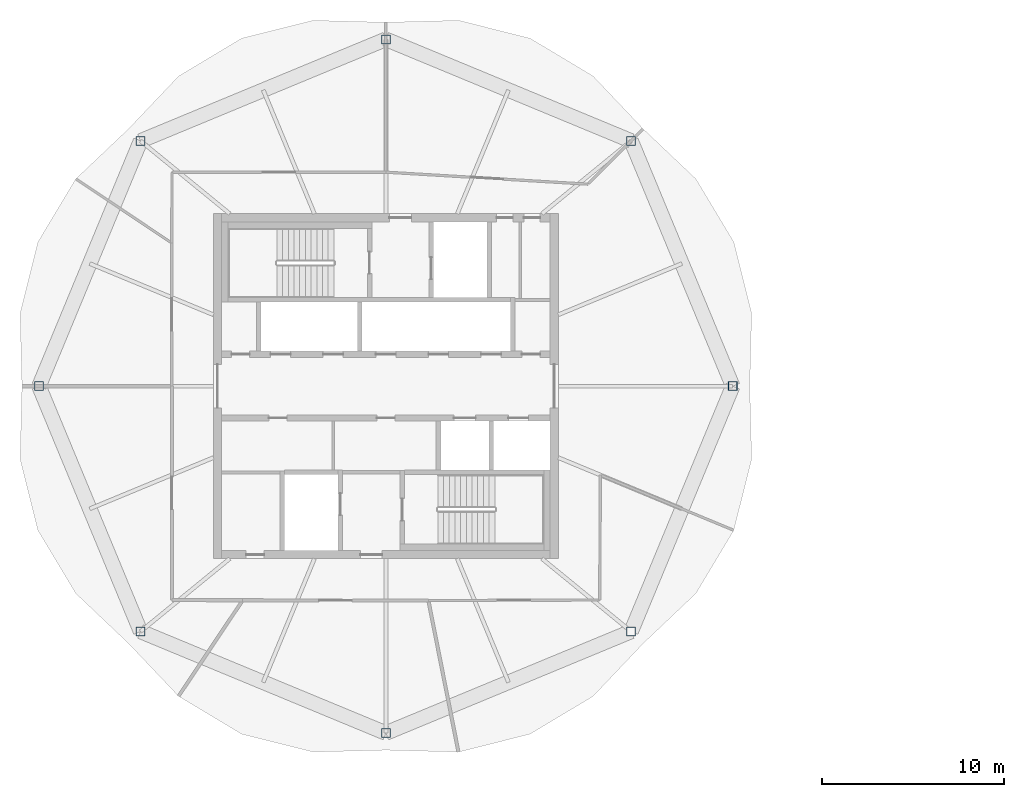
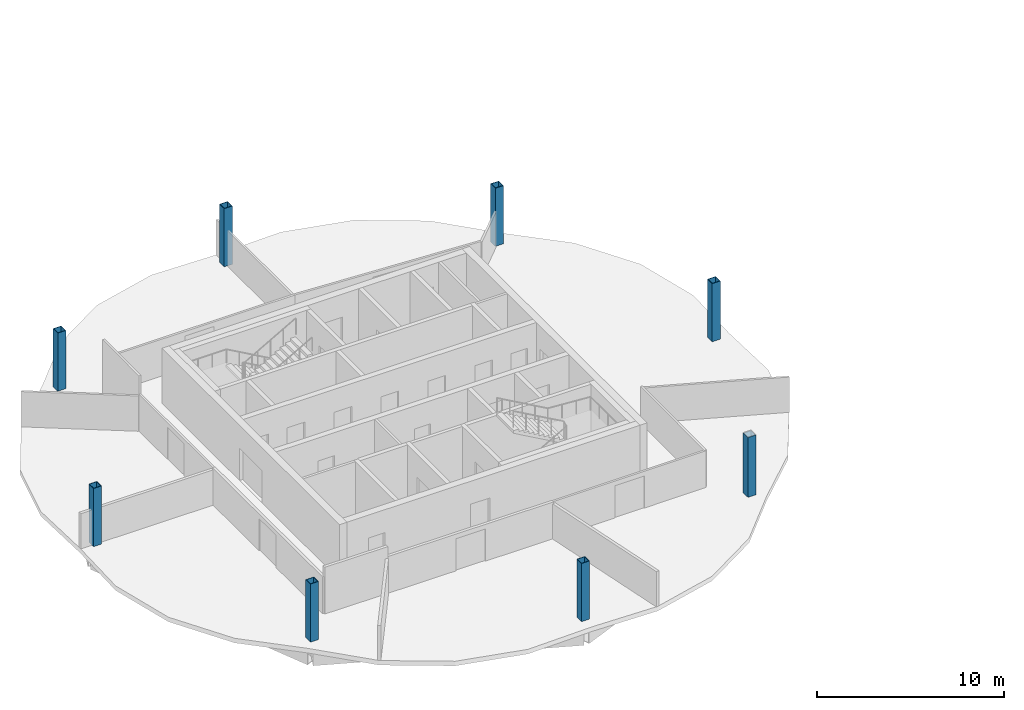
# One storey, part 1 of 10: 8 columns.
"""IFC4 building model written with IfcOpenShell, lengths in metres."""

from ifc_helpers import new_model, si_unit, direction, frame, origin, origin_2d, place, context, subcontext, project, spatial, hollow_rectangle, extrude, material, material_profile, profile_set, type_object, element, save


model = new_model("IFC4")

# Units and contexts
model_context = context("Model", 3, precision=1e-05, world=origin(), true_north=direction((0.0, 1.0)))
body_context = subcontext(model_context, "Body", "Model", "MODEL_VIEW")
ifc_project = project(units=[si_unit("LENGTHUNIT", "METRE"), si_unit("AREAUNIT", "SQUARE_METRE"), si_unit("VOLUMEUNIT", "CUBIC_METRE"), si_unit("PLANEANGLEUNIT", "RADIAN"), si_unit("MASSUNIT", "GRAM", prefix="KILO")], contexts=[model_context])

# Site, building, storey
site_placement = place(None, origin())
site = spatial("IfcSite", under=ifc_project, at=site_placement, CompositionType="ELEMENT")
building_placement = place(site_placement, origin())
building = spatial("IfcBuilding", under=site, at=building_placement, Name="Ogive Gate Towers", CompositionType="ELEMENT")
storey_placement = place(building_placement, frame((0.0, 0.0, 236.699951171875)))
storey = spatial("IfcBuildingStorey", under=building, at=storey_placement, Name="L56", CompositionType="ELEMENT", Elevation=236.699951171875)

# Columns
ifc_material = material(Name="Steel SM460", Category="steel")
ifc_material_profile = material_profile(ifc_material, hollow_rectangle(XDim=0.5, YDim=0.5, WallThickness=0.030029296875, at=origin_2d()), Name="BX 500x500x30")
ifc_profile_set = profile_set([ifc_material_profile], Name="Steel SM460")
column_type = type_object("IfcColumnType", Name="Perimeter post BX 500x500x30", PredefinedType="COLUMN", material=ifc_profile_set)
for number, where, z_axis, x_axis, name in (
    (1, (-16.889892578125, 0.0, 0.0), (0.0, 0.0, 1.0), (1.0, 0.0, 0.0), "T1/L56/SCL001"),
    (2, (-22.4873046875, 13.5126953125, 0.0), (0.0, 0.0, 1.0), (1.0, 0.0, 0.0), "T1/L56/SCL002"),
    (3, (-36.0, 19.110107421875, 0.0), (0.0, 0.0, 1.0), (1.0, 0.0, 0.0), "T1/L56/SCL003"),
    (4, (-49.5126953125, 13.5126953125, 0.0), (0.0, 0.0, 1.0), (1.0, 0.0, 0.0), "T1/L56/SCL004"),
    (5, (-55.110107421875, 0.0, 0.0), (0.0, 0.0, 1.0), (1.0, 0.0, 0.0), "T1/L56/SCL005"),
    (6, (-49.5126953125, -13.5126953125, 0.0), (0.0, 0.0, 1.0), (1.0, 0.0, 0.0), "T1/L56/SCL006"),
    (7, (-36.0, -19.110107421875, 0.0), (0.0, 0.0, 1.0), (1.0, 0.0, 0.0), "T1/L56/SCL007"),
):
    element("IfcColumn", number, at=place(storey_placement, frame(where, z_axis=z_axis, x_axis=x_axis)), inside=storey, type_object=column_type, Name=name, PredefinedType="COLUMN", context=body_context, shape_type="SweptSolid", body=[
        extrude(hollow_rectangle(XDim=0.5, YDim=0.5, WallThickness=0.030029296875, at=origin_2d()), origin(), (0.0, 0.0, 1.0), 3.800048828125),
    ])
column_placement = place(storey_placement, frame((-22.4873046875, -13.5126953125, 0.0), z_axis=(0.0, 0.0, 1.0), x_axis=(1.0, 0.0, 0.0)))
element("IfcColumn", 8, at=column_placement, inside=storey, type_object=column_type, Name="T1/L56/SCL008", PredefinedType="COLUMN", context=body_context, shape_type="SweptSolid", body=[
    extrude(hollow_rectangle(XDim=0.5, YDim=0.5, WallThickness=0.030029296875, at=origin_2d()), origin(), (0.0, 0.0, 1.0), 3.900146484375),
])

save(model, "model.ifc")
